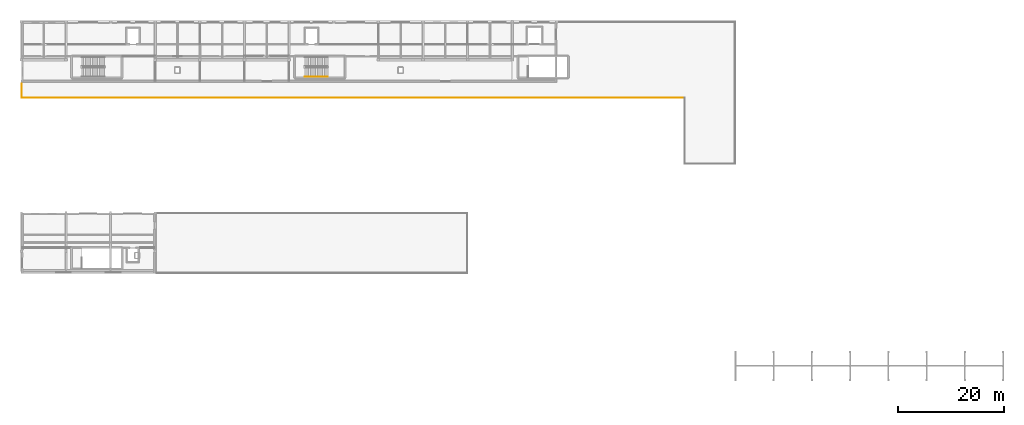
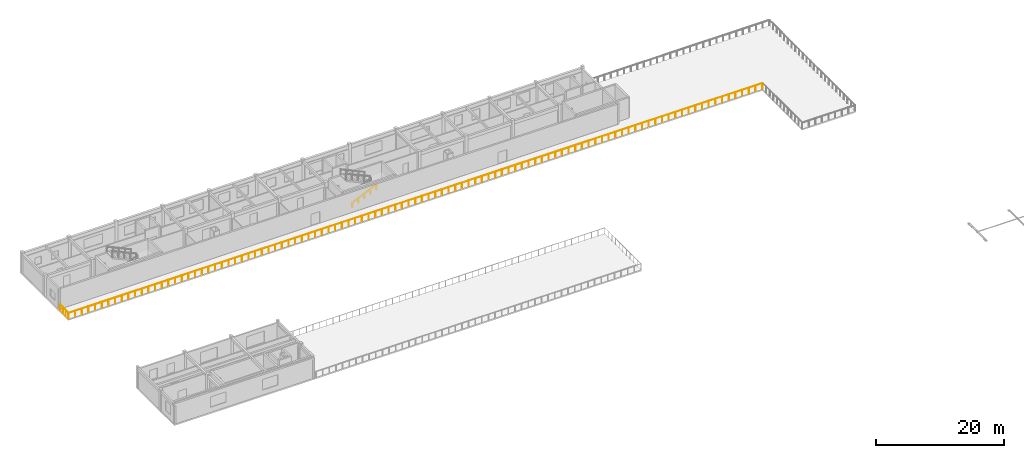
# One storey, part 12 of 14: 2 railings.
"""IFC4 building model written with IfcOpenShell, lengths in metres."""

from ifc_helpers import new_model, si_unit, direction, frame, origin, origin_2d, place, context, subcontext, project, spatial, circle, extrude, material, layer, layer_set, type_object, element, save


model = new_model("IFC4")

# Units and contexts
model_context = context("Model", 3, precision=1e-05, world=origin(), true_north=direction((0.0, 1.0)))
body_context = subcontext(model_context, "Body", "Model", "MODEL_VIEW")
ifc_project = project(units=[si_unit("LENGTHUNIT", "METRE"), si_unit("AREAUNIT", "SQUARE_METRE"), si_unit("VOLUMEUNIT", "CUBIC_METRE"), si_unit("PLANEANGLEUNIT", "RADIAN"), si_unit("MASSUNIT", "GRAM", prefix="KILO")], contexts=[model_context])

# Site, building, storey
site_placement = place(None, origin())
site = spatial("IfcSite", under=ifc_project, at=site_placement, CompositionType="ELEMENT")
building_placement = place(site_placement, origin())
building = spatial("IfcBuilding", under=site, at=building_placement, Name="Malvenik Polytechnic", CompositionType="ELEMENT")
storey_placement = place(building_placement, frame((0.0, 0.0, 21.89990234375)))
storey = spatial("IfcBuildingStorey", under=building, at=storey_placement, Name="L05", CompositionType="ELEMENT", Elevation=21.89990234375)

# Railings
ifc_material_1 = material(Name="Galvanised powder-coated steel and laminated glass guard 1150mm", Category="steel")
ifc_layer_1 = layer(ifc_material_1, 0.070068359375)
ifc_layer_set_1 = layer_set([ifc_layer_1], Name="Galvanised powder-coated steel and laminated glass guard 1150mm")
railing_type_1 = type_object("IfcRailingType", Name="ARC-RL-BAL-1150", PredefinedType="BALUSTRADE", material=ifc_layer_set_1)
railing_1_placement = place(storey_placement, frame((124.860107421875, 115.199951171875, 0.0)))
element("IfcRailing", 1, at=railing_1_placement, inside=storey, type_object=railing_type_1, Name="Terrace Perimeter Balustrade L05 #20", PredefinedType="BALUSTRADE", context=body_context, shape_type="SweptSolid", body=[
    extrude(circle(Radius=0.02392578125, at=origin_2d()), frame((0.0, 0.0, 1.1259765625), z_axis=(-0.083045479854, 0.996545758245, 0.0), x_axis=(-0.996545758245, -0.083045479854, 0.0)), (0.0, 0.0, 1.0), 0.005859375),
    extrude(circle(Radius=0.02392578125, at=origin_2d()), frame((-0.00048828125, 0.005859375, 1.1259765625), z_axis=(-0.124034734589, 0.992277876714, 0.0), x_axis=(-0.992277876714, -0.124034734589, 0.0)), (0.0, 0.0, 1.0), 0.005859375),
    extrude(circle(Radius=0.02392578125, at=origin_2d()), frame((-0.001220703125, 0.01171875, 1.1259765625), z_axis=(-0.252421897147, 0.967617272397, 0.0), x_axis=(-0.967617272397, -0.252421897147, 0.0)), (0.0, 0.0, 1.0), 0.005859375),
    extrude(circle(Radius=0.02392578125, at=origin_2d()), frame((-0.002685546875, 0.017333984375, 1.1259765625), z_axis=(-0.328520624941, 0.944496796706, 0.0), x_axis=(-0.944496796706, -0.328520624941, 0.0)), (0.0, 0.0, 1.0), 0.005859375),
    extrude(circle(Radius=0.02392578125, at=origin_2d()), frame((-0.004638671875, 0.02294921875, 1.1259765625), z_axis=(-0.4472135955, 0.894427191, 0.0), x_axis=(-0.894427191, -0.4472135955, 0.0)), (0.0, 0.0, 1.0), 0.006103515625),
    extrude(circle(Radius=0.02392578125, at=origin_2d()), frame((-0.00732421875, 0.0283203125, 1.1259765625), z_axis=(-0.496138938357, 0.868243142124, 0.0), x_axis=(-0.868243142124, -0.496138938357, 0.0)), (0.0, 0.0, 1.0), 0.005859375),
    extrude(circle(Radius=0.02392578125, at=origin_2d()), frame((-0.01025390625, 0.033447265625, 1.1259765625), z_axis=(-0.59319903805, 0.805055837353, 0.0), x_axis=(-0.805055837353, -0.59319903805, 0.0)), (0.0, 0.0, 1.0), 0.005859375),
    extrude(circle(Radius=0.02392578125, at=origin_2d()), frame((-0.013671875, 0.0380859375, 1.1259765625), z_axis=(-0.686623532964, 0.72701315255, 0.0), x_axis=(-0.72701315255, -0.686623532964, 0.0)), (0.0, 0.0, 1.0), 0.006103515625),
    extrude(circle(Radius=0.02392578125, at=origin_2d()), frame((-0.017822265625, 0.04248046875, 1.1259765625), z_axis=(-0.728199992693, 0.685364699005, 0.0), x_axis=(-0.685364699005, -0.728199992693, 0.0)), (0.0, 0.0, 1.0), 0.005615234375),
    extrude(circle(Radius=0.02392578125, at=origin_2d()), frame((-0.02197265625, 0.04638671875, 1.1259765625), z_axis=(-0.8, 0.6, 0.0), x_axis=(-0.6, -0.8, 0.0)), (0.0, 0.0, 1.0), 0.006103515625),
    extrude(circle(Radius=0.02392578125, at=origin_2d()), frame((-0.02685546875, 0.050048828125, 1.1259765625), z_axis=(-0.857492925713, 0.514495755428, 0.0), x_axis=(-0.514495755428, -0.857492925713, 0.0)), (0.0, 0.0, 1.0), 0.005615234375),
    extrude(circle(Radius=0.02392578125, at=origin_2d()), frame((-0.03173828125, 0.052978515625, 1.1259765625), z_axis=(-0.910366477463, 0.413802944301, 0.0), x_axis=(-0.413802944301, -0.910366477463, 0.0)), (0.0, 0.0, 1.0), 0.005859375),
    extrude(circle(Radius=0.02392578125, at=origin_2d()), frame((-0.037109375, 0.055419921875, 1.1259765625), z_axis=(-0.944496796706, 0.328520624941, 0.0), x_axis=(-0.328520624941, -0.944496796706, 0.0)), (0.0, 0.0, 1.0), 0.005859375),
    extrude(circle(Radius=0.02392578125, at=origin_2d()), frame((-0.042724609375, 0.057373046875, 1.1259765625), z_axis=(-0.967617272397, 0.252421897147, 0.0), x_axis=(-0.252421897147, -0.967617272397, 0.0)), (0.0, 0.0, 1.0), 0.005859375),
    extrude(circle(Radius=0.02392578125, at=origin_2d()), frame((-0.04833984375, 0.058837890625, 1.1259765625), z_axis=(-0.986393923832, 0.164398987305, 0.0), x_axis=(-0.164398987305, -0.986393923832, 0.0)), (0.0, 0.0, 1.0), 0.005859375),
    extrude(circle(Radius=0.02392578125, at=origin_2d()), frame((-0.05419921875, 0.059814453125, 1.1259765625), z_axis=(-0.999133073092, 0.041630544712, 0.0), x_axis=(-0.041630544712, -0.999133073092, 0.0)), (0.0, 0.0, 1.0), 0.005859375),
    extrude(circle(Radius=0.02392578125, at=origin_2d()), frame((-0.06005859375, 0.06005859375, 1.1259765625), z_axis=(-1.0, 0.0, 0.0), x_axis=(0.0, -1.0, 0.0)), (0.0, 0.0, 1.0), 124.739990234375),
    extrude(circle(Radius=0.02392578125, at=origin_2d()), frame((-124.800048828125, 0.06005859375, 1.1259765625), z_axis=(0.0, 1.0, 0.0), x_axis=(-1.0, 0.0, 0.0)), (0.0, 0.0, 1.0), 2.619873046875),
    extrude(circle(Radius=0.02099609375, at=origin_2d()), origin(), (0.0, 0.0, 1.0), 1.101806640625),
    extrude(circle(Radius=0.02099609375, at=origin_2d()), frame((-0.00048828125, 0.005859375, 0.0)), (0.0, 0.0, 1.0), 1.101806640625),
    extrude(circle(Radius=0.02099609375, at=origin_2d()), frame((-0.001220703125, 0.01171875, 0.0)), (0.0, 0.0, 1.0), 1.101806640625),
    extrude(circle(Radius=0.02099609375, at=origin_2d()), frame((-0.002685546875, 0.017333984375, 0.0)), (0.0, 0.0, 1.0), 1.101806640625),
    extrude(circle(Radius=0.02099609375, at=origin_2d()), frame((-0.004638671875, 0.02294921875, 0.0)), (0.0, 0.0, 1.0), 1.101806640625),
    extrude(circle(Radius=0.02099609375, at=origin_2d()), frame((-0.00732421875, 0.0283203125, 0.0)), (0.0, 0.0, 1.0), 1.101806640625),
    extrude(circle(Radius=0.02099609375, at=origin_2d()), frame((-0.01025390625, 0.033447265625, 0.0)), (0.0, 0.0, 1.0), 1.101806640625),
    extrude(circle(Radius=0.02099609375, at=origin_2d()), frame((-0.013671875, 0.0380859375, 0.0)), (0.0, 0.0, 1.0), 1.101806640625),
    extrude(circle(Radius=0.02099609375, at=origin_2d()), frame((-0.017822265625, 0.04248046875, 0.0)), (0.0, 0.0, 1.0), 1.101806640625),
    extrude(circle(Radius=0.02099609375, at=origin_2d()), frame((-0.02197265625, 0.04638671875, 0.0)), (0.0, 0.0, 1.0), 1.101806640625),
    extrude(circle(Radius=0.02099609375, at=origin_2d()), frame((-0.02685546875, 0.050048828125, 0.0)), (0.0, 0.0, 1.0), 1.101806640625),
    extrude(circle(Radius=0.02099609375, at=origin_2d()), frame((-0.03173828125, 0.052978515625, 0.0)), (0.0, 0.0, 1.0), 1.101806640625),
    extrude(circle(Radius=0.02099609375, at=origin_2d()), frame((-0.037109375, 0.055419921875, 0.0)), (0.0, 0.0, 1.0), 1.101806640625),
    extrude(circle(Radius=0.02099609375, at=origin_2d()), frame((-0.042724609375, 0.057373046875, 0.0)), (0.0, 0.0, 1.0), 1.101806640625),
    extrude(circle(Radius=0.02099609375, at=origin_2d()), frame((-0.04833984375, 0.058837890625, 0.0)), (0.0, 0.0, 1.0), 1.101806640625),
    extrude(circle(Radius=0.02099609375, at=origin_2d()), frame((-0.05419921875, 0.059814453125, 0.0)), (0.0, 0.0, 1.0), 1.101806640625),
    extrude(circle(Radius=0.02099609375, at=origin_2d()), frame((-0.06005859375, 0.06005859375, 0.0)), (0.0, 0.0, 1.0), 1.101806640625),
    extrude(circle(Radius=0.02099609375, at=origin_2d()), frame((-1.259521484375, 0.06005859375, 0.0)), (0.0, 0.0, 1.0), 1.101806640625),
    extrude(circle(Radius=0.02099609375, at=origin_2d()), frame((-2.458984375, 0.06005859375, 0.0)), (0.0, 0.0, 1.0), 1.101806640625),
    extrude(circle(Radius=0.02099609375, at=origin_2d()), frame((-3.658447265625, 0.06005859375, 0.0)), (0.0, 0.0, 1.0), 1.101806640625),
    extrude(circle(Radius=0.02099609375, at=origin_2d()), frame((-4.857666015625, 0.06005859375, 0.0)), (0.0, 0.0, 1.0), 1.101806640625),
    extrude(circle(Radius=0.02099609375, at=origin_2d()), frame((-6.05712890625, 0.06005859375, 0.0)), (0.0, 0.0, 1.0), 1.101806640625),
    extrude(circle(Radius=0.02099609375, at=origin_2d()), frame((-7.256591796875, 0.06005859375, 0.0)), (0.0, 0.0, 1.0), 1.101806640625),
    extrude(circle(Radius=0.02099609375, at=origin_2d()), frame((-8.4560546875, 0.06005859375, 0.0)), (0.0, 0.0, 1.0), 1.101806640625),
    extrude(circle(Radius=0.02099609375, at=origin_2d()), frame((-9.655517578125, 0.06005859375, 0.0)), (0.0, 0.0, 1.0), 1.101806640625),
    extrude(circle(Radius=0.02099609375, at=origin_2d()), frame((-10.85498046875, 0.06005859375, 0.0)), (0.0, 0.0, 1.0), 1.101806640625),
    extrude(circle(Radius=0.02099609375, at=origin_2d()), frame((-12.05419921875, 0.06005859375, 0.0)), (0.0, 0.0, 1.0), 1.101806640625),
    extrude(circle(Radius=0.02099609375, at=origin_2d()), frame((-13.253662109375, 0.06005859375, 0.0)), (0.0, 0.0, 1.0), 1.101806640625),
    extrude(circle(Radius=0.02099609375, at=origin_2d()), frame((-14.453125, 0.06005859375, 0.0)), (0.0, 0.0, 1.0), 1.101806640625),
    extrude(circle(Radius=0.02099609375, at=origin_2d()), frame((-15.652587890625, 0.06005859375, 0.0)), (0.0, 0.0, 1.0), 1.101806640625),
    extrude(circle(Radius=0.02099609375, at=origin_2d()), frame((-16.85205078125, 0.06005859375, 0.0)), (0.0, 0.0, 1.0), 1.101806640625),
    extrude(circle(Radius=0.02099609375, at=origin_2d()), frame((-18.051513671875, 0.06005859375, 0.0)), (0.0, 0.0, 1.0), 1.101806640625),
    extrude(circle(Radius=0.02099609375, at=origin_2d()), frame((-19.250732421875, 0.06005859375, 0.0)), (0.0, 0.0, 1.0), 1.101806640625),
    extrude(circle(Radius=0.02099609375, at=origin_2d()), frame((-20.4501953125, 0.06005859375, 0.0)), (0.0, 0.0, 1.0), 1.101806640625),
    extrude(circle(Radius=0.02099609375, at=origin_2d()), frame((-21.649658203125, 0.06005859375, 0.0)), (0.0, 0.0, 1.0), 1.101806640625),
    extrude(circle(Radius=0.02099609375, at=origin_2d()), frame((-22.84912109375, 0.06005859375, 0.0)), (0.0, 0.0, 1.0), 1.101806640625),
    extrude(circle(Radius=0.02099609375, at=origin_2d()), frame((-24.048583984375, 0.06005859375, 0.0)), (0.0, 0.0, 1.0), 1.101806640625),
    extrude(circle(Radius=0.02099609375, at=origin_2d()), frame((-25.248046875, 0.06005859375, 0.0)), (0.0, 0.0, 1.0), 1.101806640625),
    extrude(circle(Radius=0.02099609375, at=origin_2d()), frame((-26.447265625, 0.06005859375, 0.0)), (0.0, 0.0, 1.0), 1.101806640625),
    extrude(circle(Radius=0.02099609375, at=origin_2d()), frame((-27.646728515625, 0.06005859375, 0.0)), (0.0, 0.0, 1.0), 1.101806640625),
    extrude(circle(Radius=0.02099609375, at=origin_2d()), frame((-28.84619140625, 0.06005859375, 0.0)), (0.0, 0.0, 1.0), 1.101806640625),
    extrude(circle(Radius=0.02099609375, at=origin_2d()), frame((-30.045654296875, 0.06005859375, 0.0)), (0.0, 0.0, 1.0), 1.101806640625),
    extrude(circle(Radius=0.02099609375, at=origin_2d()), frame((-31.2451171875, 0.06005859375, 0.0)), (0.0, 0.0, 1.0), 1.101806640625),
    extrude(circle(Radius=0.02099609375, at=origin_2d()), frame((-32.444580078125, 0.06005859375, 0.0)), (0.0, 0.0, 1.0), 1.101806640625),
    extrude(circle(Radius=0.02099609375, at=origin_2d()), frame((-33.643798828125, 0.06005859375, 0.0)), (0.0, 0.0, 1.0), 1.101806640625),
    extrude(circle(Radius=0.02099609375, at=origin_2d()), frame((-34.84326171875, 0.06005859375, 0.0)), (0.0, 0.0, 1.0), 1.101806640625),
    extrude(circle(Radius=0.02099609375, at=origin_2d()), frame((-36.042724609375, 0.06005859375, 0.0)), (0.0, 0.0, 1.0), 1.101806640625),
    extrude(circle(Radius=0.02099609375, at=origin_2d()), frame((-37.2421875, 0.06005859375, 0.0)), (0.0, 0.0, 1.0), 1.101806640625),
    extrude(circle(Radius=0.02099609375, at=origin_2d()), frame((-38.441650390625, 0.06005859375, 0.0)), (0.0, 0.0, 1.0), 1.101806640625),
    extrude(circle(Radius=0.02099609375, at=origin_2d()), frame((-39.64111328125, 0.06005859375, 0.0)), (0.0, 0.0, 1.0), 1.101806640625),
    extrude(circle(Radius=0.02099609375, at=origin_2d()), frame((-40.84033203125, 0.06005859375, 0.0)), (0.0, 0.0, 1.0), 1.101806640625),
    extrude(circle(Radius=0.02099609375, at=origin_2d()), frame((-42.039794921875, 0.06005859375, 0.0)), (0.0, 0.0, 1.0), 1.101806640625),
    extrude(circle(Radius=0.02099609375, at=origin_2d()), frame((-43.2392578125, 0.06005859375, 0.0)), (0.0, 0.0, 1.0), 1.101806640625),
    extrude(circle(Radius=0.02099609375, at=origin_2d()), frame((-44.438720703125, 0.06005859375, 0.0)), (0.0, 0.0, 1.0), 1.101806640625),
    extrude(circle(Radius=0.02099609375, at=origin_2d()), frame((-45.63818359375, 0.06005859375, 0.0)), (0.0, 0.0, 1.0), 1.101806640625),
    extrude(circle(Radius=0.02099609375, at=origin_2d()), frame((-46.837646484375, 0.06005859375, 0.0)), (0.0, 0.0, 1.0), 1.101806640625),
    extrude(circle(Radius=0.02099609375, at=origin_2d()), frame((-48.036865234375, 0.06005859375, 0.0)), (0.0, 0.0, 1.0), 1.101806640625),
    extrude(circle(Radius=0.02099609375, at=origin_2d()), frame((-49.236328125, 0.06005859375, 0.0)), (0.0, 0.0, 1.0), 1.101806640625),
    extrude(circle(Radius=0.02099609375, at=origin_2d()), frame((-50.435791015625, 0.06005859375, 0.0)), (0.0, 0.0, 1.0), 1.101806640625),
    extrude(circle(Radius=0.02099609375, at=origin_2d()), frame((-51.63525390625, 0.06005859375, 0.0)), (0.0, 0.0, 1.0), 1.101806640625),
    extrude(circle(Radius=0.02099609375, at=origin_2d()), frame((-52.834716796875, 0.06005859375, 0.0)), (0.0, 0.0, 1.0), 1.101806640625),
    extrude(circle(Radius=0.02099609375, at=origin_2d()), frame((-54.0341796875, 0.06005859375, 0.0)), (0.0, 0.0, 1.0), 1.101806640625),
    extrude(circle(Radius=0.02099609375, at=origin_2d()), frame((-55.2333984375, 0.06005859375, 0.0)), (0.0, 0.0, 1.0), 1.101806640625),
    extrude(circle(Radius=0.02099609375, at=origin_2d()), frame((-56.432861328125, 0.06005859375, 0.0)), (0.0, 0.0, 1.0), 1.101806640625),
    extrude(circle(Radius=0.02099609375, at=origin_2d()), frame((-57.63232421875, 0.06005859375, 0.0)), (0.0, 0.0, 1.0), 1.101806640625),
    extrude(circle(Radius=0.02099609375, at=origin_2d()), frame((-58.831787109375, 0.06005859375, 0.0)), (0.0, 0.0, 1.0), 1.101806640625),
    extrude(circle(Radius=0.02099609375, at=origin_2d()), frame((-60.03125, 0.06005859375, 0.0)), (0.0, 0.0, 1.0), 1.101806640625),
    extrude(circle(Radius=0.02099609375, at=origin_2d()), frame((-61.230712890625, 0.06005859375, 0.0)), (0.0, 0.0, 1.0), 1.101806640625),
    extrude(circle(Radius=0.02099609375, at=origin_2d()), frame((-62.43017578125, 0.06005859375, 0.0)), (0.0, 0.0, 1.0), 1.101806640625),
    extrude(circle(Radius=0.02099609375, at=origin_2d()), frame((-63.62939453125, 0.06005859375, 0.0)), (0.0, 0.0, 1.0), 1.101806640625),
    extrude(circle(Radius=0.02099609375, at=origin_2d()), frame((-64.828857421875, 0.06005859375, 0.0)), (0.0, 0.0, 1.0), 1.101806640625),
    extrude(circle(Radius=0.02099609375, at=origin_2d()), frame((-66.0283203125, 0.06005859375, 0.0)), (0.0, 0.0, 1.0), 1.101806640625),
    extrude(circle(Radius=0.02099609375, at=origin_2d()), frame((-67.227783203125, 0.06005859375, 0.0)), (0.0, 0.0, 1.0), 1.101806640625),
    extrude(circle(Radius=0.02099609375, at=origin_2d()), frame((-68.42724609375, 0.06005859375, 0.0)), (0.0, 0.0, 1.0), 1.101806640625),
    extrude(circle(Radius=0.02099609375, at=origin_2d()), frame((-69.626708984375, 0.06005859375, 0.0)), (0.0, 0.0, 1.0), 1.101806640625),
    extrude(circle(Radius=0.02099609375, at=origin_2d()), frame((-70.825927734375, 0.06005859375, 0.0)), (0.0, 0.0, 1.0), 1.101806640625),
    extrude(circle(Radius=0.02099609375, at=origin_2d()), frame((-72.025390625, 0.06005859375, 0.0)), (0.0, 0.0, 1.0), 1.101806640625),
    extrude(circle(Radius=0.02099609375, at=origin_2d()), frame((-73.224853515625, 0.06005859375, 0.0)), (0.0, 0.0, 1.0), 1.101806640625),
    extrude(circle(Radius=0.02099609375, at=origin_2d()), frame((-74.42431640625, 0.06005859375, 0.0)), (0.0, 0.0, 1.0), 1.101806640625),
    extrude(circle(Radius=0.02099609375, at=origin_2d()), frame((-75.623779296875, 0.06005859375, 0.0)), (0.0, 0.0, 1.0), 1.101806640625),
    extrude(circle(Radius=0.02099609375, at=origin_2d()), frame((-76.8232421875, 0.06005859375, 0.0)), (0.0, 0.0, 1.0), 1.101806640625),
    extrude(circle(Radius=0.02099609375, at=origin_2d()), frame((-78.0224609375, 0.06005859375, 0.0)), (0.0, 0.0, 1.0), 1.101806640625),
    extrude(circle(Radius=0.02099609375, at=origin_2d()), frame((-79.221923828125, 0.06005859375, 0.0)), (0.0, 0.0, 1.0), 1.101806640625),
    extrude(circle(Radius=0.02099609375, at=origin_2d()), frame((-80.42138671875, 0.06005859375, 0.0)), (0.0, 0.0, 1.0), 1.101806640625),
    extrude(circle(Radius=0.02099609375, at=origin_2d()), frame((-81.620849609375, 0.06005859375, 0.0)), (0.0, 0.0, 1.0), 1.101806640625),
    extrude(circle(Radius=0.02099609375, at=origin_2d()), frame((-82.8203125, 0.06005859375, 0.0)), (0.0, 0.0, 1.0), 1.101806640625),
    extrude(circle(Radius=0.02099609375, at=origin_2d()), frame((-84.019775390625, 0.06005859375, 0.0)), (0.0, 0.0, 1.0), 1.101806640625),
    extrude(circle(Radius=0.02099609375, at=origin_2d()), frame((-85.218994140625, 0.06005859375, 0.0)), (0.0, 0.0, 1.0), 1.101806640625),
    extrude(circle(Radius=0.02099609375, at=origin_2d()), frame((-86.41845703125, 0.06005859375, 0.0)), (0.0, 0.0, 1.0), 1.101806640625),
    extrude(circle(Radius=0.02099609375, at=origin_2d()), frame((-87.617919921875, 0.06005859375, 0.0)), (0.0, 0.0, 1.0), 1.101806640625),
    extrude(circle(Radius=0.02099609375, at=origin_2d()), frame((-88.8173828125, 0.06005859375, 0.0)), (0.0, 0.0, 1.0), 1.101806640625),
    extrude(circle(Radius=0.02099609375, at=origin_2d()), frame((-90.016845703125, 0.06005859375, 0.0)), (0.0, 0.0, 1.0), 1.101806640625),
    extrude(circle(Radius=0.02099609375, at=origin_2d()), frame((-91.21630859375, 0.06005859375, 0.0)), (0.0, 0.0, 1.0), 1.101806640625),
    extrude(circle(Radius=0.02099609375, at=origin_2d()), frame((-92.41552734375, 0.06005859375, 0.0)), (0.0, 0.0, 1.0), 1.101806640625),
    extrude(circle(Radius=0.02099609375, at=origin_2d()), frame((-93.614990234375, 0.06005859375, 0.0)), (0.0, 0.0, 1.0), 1.101806640625),
    extrude(circle(Radius=0.02099609375, at=origin_2d()), frame((-94.814453125, 0.06005859375, 0.0)), (0.0, 0.0, 1.0), 1.101806640625),
    extrude(circle(Radius=0.02099609375, at=origin_2d()), frame((-96.013916015625, 0.06005859375, 0.0)), (0.0, 0.0, 1.0), 1.101806640625),
    extrude(circle(Radius=0.02099609375, at=origin_2d()), frame((-97.21337890625, 0.06005859375, 0.0)), (0.0, 0.0, 1.0), 1.101806640625),
    extrude(circle(Radius=0.02099609375, at=origin_2d()), frame((-98.412841796875, 0.06005859375, 0.0)), (0.0, 0.0, 1.0), 1.101806640625),
    extrude(circle(Radius=0.02099609375, at=origin_2d()), frame((-99.612060546875, 0.06005859375, 0.0)), (0.0, 0.0, 1.0), 1.101806640625),
    extrude(circle(Radius=0.02099609375, at=origin_2d()), frame((-100.8115234375, 0.06005859375, 0.0)), (0.0, 0.0, 1.0), 1.101806640625),
    extrude(circle(Radius=0.02099609375, at=origin_2d()), frame((-102.010986328125, 0.06005859375, 0.0)), (0.0, 0.0, 1.0), 1.101806640625),
    extrude(circle(Radius=0.02099609375, at=origin_2d()), frame((-103.21044921875, 0.06005859375, 0.0)), (0.0, 0.0, 1.0), 1.101806640625),
    extrude(circle(Radius=0.02099609375, at=origin_2d()), frame((-104.409912109375, 0.06005859375, 0.0)), (0.0, 0.0, 1.0), 1.101806640625),
    extrude(circle(Radius=0.02099609375, at=origin_2d()), frame((-105.609375, 0.06005859375, 0.0)), (0.0, 0.0, 1.0), 1.101806640625),
    extrude(circle(Radius=0.02099609375, at=origin_2d()), frame((-106.80859375, 0.06005859375, 0.0)), (0.0, 0.0, 1.0), 1.101806640625),
    extrude(circle(Radius=0.02099609375, at=origin_2d()), frame((-108.008056640625, 0.06005859375, 0.0)), (0.0, 0.0, 1.0), 1.101806640625),
    extrude(circle(Radius=0.02099609375, at=origin_2d()), frame((-109.20751953125, 0.06005859375, 0.0)), (0.0, 0.0, 1.0), 1.101806640625),
    extrude(circle(Radius=0.02099609375, at=origin_2d()), frame((-110.406982421875, 0.06005859375, 0.0)), (0.0, 0.0, 1.0), 1.101806640625),
    extrude(circle(Radius=0.02099609375, at=origin_2d()), frame((-111.6064453125, 0.06005859375, 0.0)), (0.0, 0.0, 1.0), 1.101806640625),
    extrude(circle(Radius=0.02099609375, at=origin_2d()), frame((-112.805908203125, 0.06005859375, 0.0)), (0.0, 0.0, 1.0), 1.101806640625),
    extrude(circle(Radius=0.02099609375, at=origin_2d()), frame((-114.005126953125, 0.06005859375, 0.0)), (0.0, 0.0, 1.0), 1.101806640625),
    extrude(circle(Radius=0.02099609375, at=origin_2d()), frame((-115.20458984375, 0.06005859375, 0.0)), (0.0, 0.0, 1.0), 1.101806640625),
    extrude(circle(Radius=0.02099609375, at=origin_2d()), frame((-116.404052734375, 0.06005859375, 0.0)), (0.0, 0.0, 1.0), 1.101806640625),
    extrude(circle(Radius=0.02099609375, at=origin_2d()), frame((-117.603515625, 0.06005859375, 0.0)), (0.0, 0.0, 1.0), 1.101806640625),
    extrude(circle(Radius=0.02099609375, at=origin_2d()), frame((-118.802978515625, 0.06005859375, 0.0)), (0.0, 0.0, 1.0), 1.101806640625),
    extrude(circle(Radius=0.02099609375, at=origin_2d()), frame((-120.00244140625, 0.06005859375, 0.0)), (0.0, 0.0, 1.0), 1.101806640625),
    extrude(circle(Radius=0.02099609375, at=origin_2d()), frame((-121.20166015625, 0.06005859375, 0.0)), (0.0, 0.0, 1.0), 1.101806640625),
    extrude(circle(Radius=0.02099609375, at=origin_2d()), frame((-122.401123046875, 0.06005859375, 0.0)), (0.0, 0.0, 1.0), 1.101806640625),
    extrude(circle(Radius=0.02099609375, at=origin_2d()), frame((-123.6005859375, 0.06005859375, 0.0)), (0.0, 0.0, 1.0), 1.101806640625),
    extrude(circle(Radius=0.02099609375, at=origin_2d()), frame((-124.800048828125, 0.06005859375, 0.0)), (0.0, 0.0, 1.0), 1.101806640625),
    extrude(circle(Radius=0.02099609375, at=origin_2d()), frame((-124.800048828125, 0.933349609375, 0.0)), (0.0, 0.0, 1.0), 1.101806640625),
    extrude(circle(Radius=0.02099609375, at=origin_2d()), frame((-124.800048828125, 1.806640625, 0.0)), (0.0, 0.0, 1.0), 1.101806640625),
    extrude(circle(Radius=0.02099609375, at=origin_2d()), frame((-124.800048828125, 2.679931640625, 0.0)), (0.0, 0.0, 1.0), 1.101806640625),
])
ifc_material_2 = material(Name="Brushed stainless steel 1.4301 stair wall handrail", Category="steel")
ifc_layer_2 = layer(ifc_material_2, 0.044921875)
ifc_layer_set_2 = layer_set([ifc_layer_2], Name="Brushed stainless steel 1.4301 stair wall handrail")
railing_type_2 = type_object("IfcRailingType", Name="ARC-RL-STHR", PredefinedType="HANDRAIL", material=ifc_layer_set_2)
railing_2_placement = place(storey_placement, frame((53.39990234375, 119.199951171875, 0.150146484375)))
element("IfcRailing", 2, at=railing_2_placement, inside=storey, type_object=railing_type_2, Name="L05 ST-02 stair handrail 1", PredefinedType="HANDRAIL", context=body_context, shape_type="SweptSolid", body=[
    extrude(circle(Radius=0.02392578125, at=origin_2d()), frame((0.0, 0.0, 0.8759765625), z_axis=(0.910371800137, 0.0, 0.413791234219), x_axis=(0.0, 1.0, 0.0)), (0.0, 0.0, 1.0), 4.71240234375),
    extrude(circle(Radius=0.02099609375, at=origin_2d()), origin(), (0.0, 0.0, 1.0), 0.851806640625),
    extrude(circle(Radius=0.02099609375, at=origin_2d()), frame((1.072509765625, 0.0, 0.487548828125)), (0.0, 0.0, 1.0), 0.851806640625),
    extrude(circle(Radius=0.02099609375, at=origin_2d()), frame((2.14501953125, 0.0, 0.97509765625)), (0.0, 0.0, 1.0), 0.851806640625),
    extrude(circle(Radius=0.02099609375, at=origin_2d()), frame((3.217529296875, 0.0, 1.46240234375)), (0.0, 0.0, 1.0), 0.851806640625),
    extrude(circle(Radius=0.02099609375, at=origin_2d()), frame((4.2900390625, 0.0, 1.949951171875)), (0.0, 0.0, 1.0), 0.851806640625),
])

save(model, "model.ifc")
